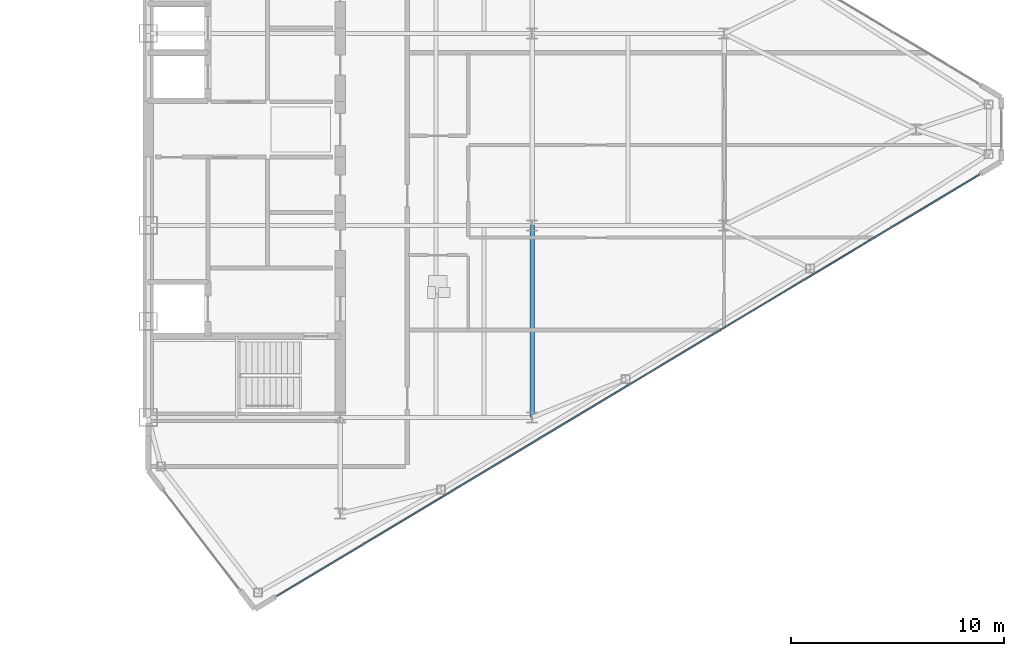
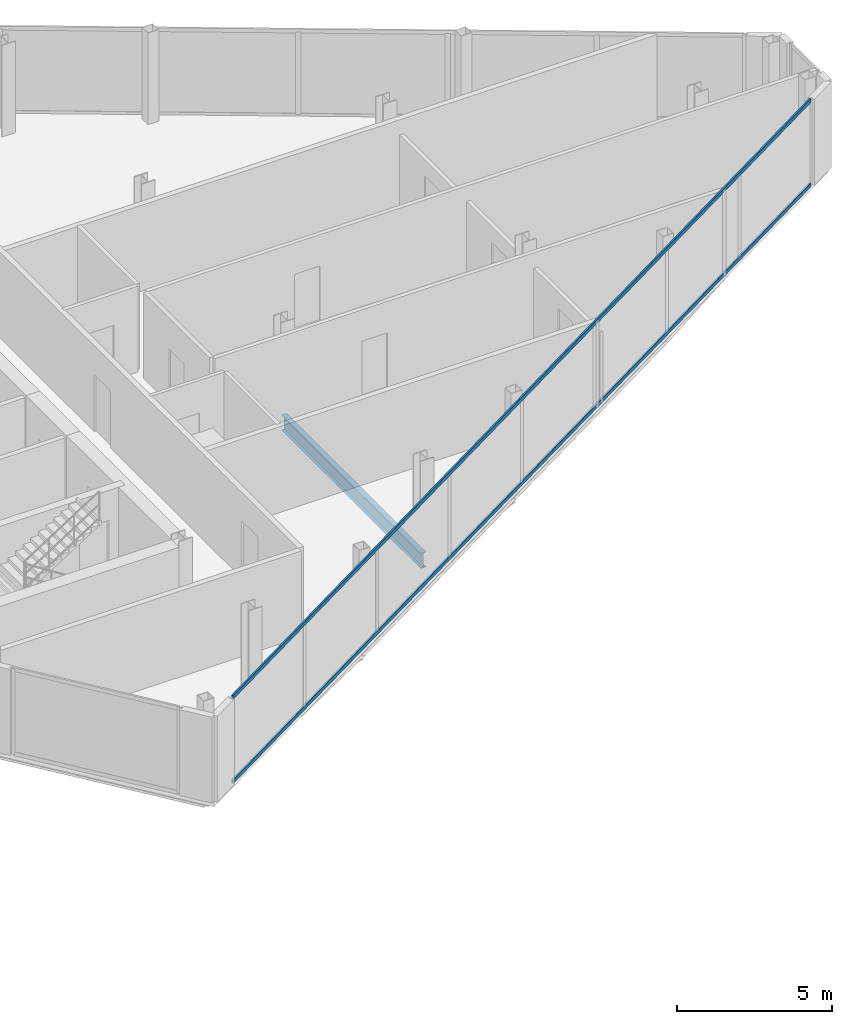
# One storey, part 12 of 25: 2 members, 1 beam, 1 element without a shape of its own.
"""IFC4 building model written with IfcOpenShell, lengths in metres."""

from ifc_helpers import new_model, si_unit, direction, frame, origin, origin_2d, place, context, subcontext, project, spatial, rectangle, i_section, extrude, source, transform, mapped, material, layer, layer_set, material_profile, profile_set, type_object, type_shapes, element, aggregate, save


model = new_model("IFC4")

# Units and contexts
model_context = context("Model", 3, precision=1e-05, world=origin(), true_north=direction((0.0, 1.0)))
body_context = subcontext(model_context, "Body", "Model", "MODEL_VIEW")
ifc_project = project(units=[si_unit("LENGTHUNIT", "METRE"), si_unit("AREAUNIT", "SQUARE_METRE"), si_unit("VOLUMEUNIT", "CUBIC_METRE"), si_unit("PLANEANGLEUNIT", "RADIAN"), si_unit("MASSUNIT", "GRAM", prefix="KILO")], contexts=[model_context])

# Site, building, storey
site_placement = place(None, origin())
site = spatial("IfcSite", under=ifc_project, at=site_placement, CompositionType="ELEMENT")
building_placement = place(site_placement, origin())
building = spatial("IfcBuilding", under=site, at=building_placement, Name="Seokmaru Belvedere", CompositionType="ELEMENT")
storey_placement = place(building_placement, frame((0.0, 0.0, 210.300048828125)))
storey = spatial("IfcBuildingStorey", under=building, at=storey_placement, Name="L56", CompositionType="ELEMENT", Elevation=210.300048828125)

# Beam
ifc_material_1 = material(Name="Steel SM355 (355 MPa)", Category="steel")
ifc_material_profile_1 = material_profile(ifc_material_1, i_section(OverallWidth=0.199951171875, OverallDepth=0.60009765625, WebThickness=0.010986328125, FlangeThickness=0.01708984375, at=origin_2d()), Name="H-600x200x11x17")
ifc_profile_set_1 = profile_set([ifc_material_profile_1], Name="Steel SM355 (355 MPa)")
beam_type = type_object("IfcBeamType", Name="Primary Floor Girder H-600", PredefinedType="BEAM", material=ifc_profile_set_1)
shared_shape_1 = source(origin(), body_context, "Body", "SweptSolid", [
    extrude(i_section(OverallWidth=0.199951171875, OverallDepth=0.60009765625, WebThickness=0.010986328125, FlangeThickness=0.01708984375, at=origin_2d()), origin(), (0.0, 0.0, 1.0), 9.0),
])
type_shapes(beam_type, [shared_shape_1])
beam_placement = place(storey_placement, frame((45.5, -13.5, -0.52001953125), z_axis=(0.0, 1.0, 0.0), x_axis=(-1.0, 0.0, 0.0)))
element("IfcBeam", 1, at=beam_placement, inside=storey, type_object=beam_type, Name="L56 E Interior Grid Girder 1", PredefinedType="BEAM", context=body_context, shape_type="MappedRepresentation", body=[
    mapped(shared_shape_1, transform((0.0, 0.0, 0.0), scale=1.0)),
])

# Curtain wall, members
ifc_material_2 = material(Name="Bronze Triple Insulating Glass", Category="glass")
ifc_layer = layer(ifc_material_2, 0.179931640625)
ifc_layer_set = layer_set([ifc_layer], Name="Bronze Triple Insulating Glass")
curtain_wall_type = type_object("IfcCurtainWallType", Name="High-Rise Wind-Corner Curtain Wall System CW-5", PredefinedType="NOTDEFINED", material=ifc_layer_set)
curtain_wall_placement = place(storey_placement, origin())
curtain_wall = element("IfcCurtainWall", 2, at=curtain_wall_placement, inside=storey, type_object=curtain_wall_type, Name="L56 Curtain Wall EF1", PredefinedType="NOTDEFINED")
ifc_material_3 = material(Name="Anodised Bronze Aluminium", Category="aluminium")
ifc_material_profile_2 = material_profile(ifc_material_3, rectangle(XDim=0.06494140625, YDim=0.14990234375, at=origin_2d()), Name="CW-T-65x150")
ifc_profile_set_2 = profile_set([ifc_material_profile_2], Name="Anodised Bronze Aluminium")
member_type = type_object("IfcMemberType", Name="Bronze Unitised Transom 65x150", PredefinedType="USERDEFINED", material=ifc_profile_set_2)
shared_shape_2 = source(origin(), body_context, "Body", "SweptSolid", [
    extrude(rectangle(XDim=0.06494140625, YDim=0.14990234375, at=origin_2d()), origin(), (0.0, 0.0, 1.0), 38.386962890625),
])
type_shapes(member_type, [shared_shape_2])
member_1_placement = place(storey_placement, frame((33.541748046875, -21.875, 0.032470703125), z_axis=(0.85749180336, 0.514497626011, 0.0), x_axis=(-0.514497626011, 0.85749180336, 0.0)))
member_1 = element("IfcMember", 3, at=member_1_placement, type_object=member_type, Name="CW:L56:EF1 Continuous Transom 1", ObjectType="TRANSOM", PredefinedType="USERDEFINED", context=body_context, shape_type="MappedRepresentation", body=[
    mapped(shared_shape_2, transform((0.0, 0.0, 0.0), scale=1.0)),
])
member_2_placement = place(storey_placement, frame((33.541748046875, -21.875, 3.347412109375), z_axis=(0.85749180336, 0.514497626011, 0.0), x_axis=(-0.514497626011, 0.85749180336, 0.0)))
member_2 = element("IfcMember", 4, at=member_2_placement, type_object=member_type, Name="CW:L56:EF1 Continuous Transom 2", ObjectType="TRANSOM", PredefinedType="USERDEFINED", context=body_context, shape_type="MappedRepresentation", body=[
    mapped(shared_shape_2, transform((0.0, 0.0, 0.0), scale=1.0)),
])
aggregate(curtain_wall, [member_1, member_2])

save(model, "model.ifc")
